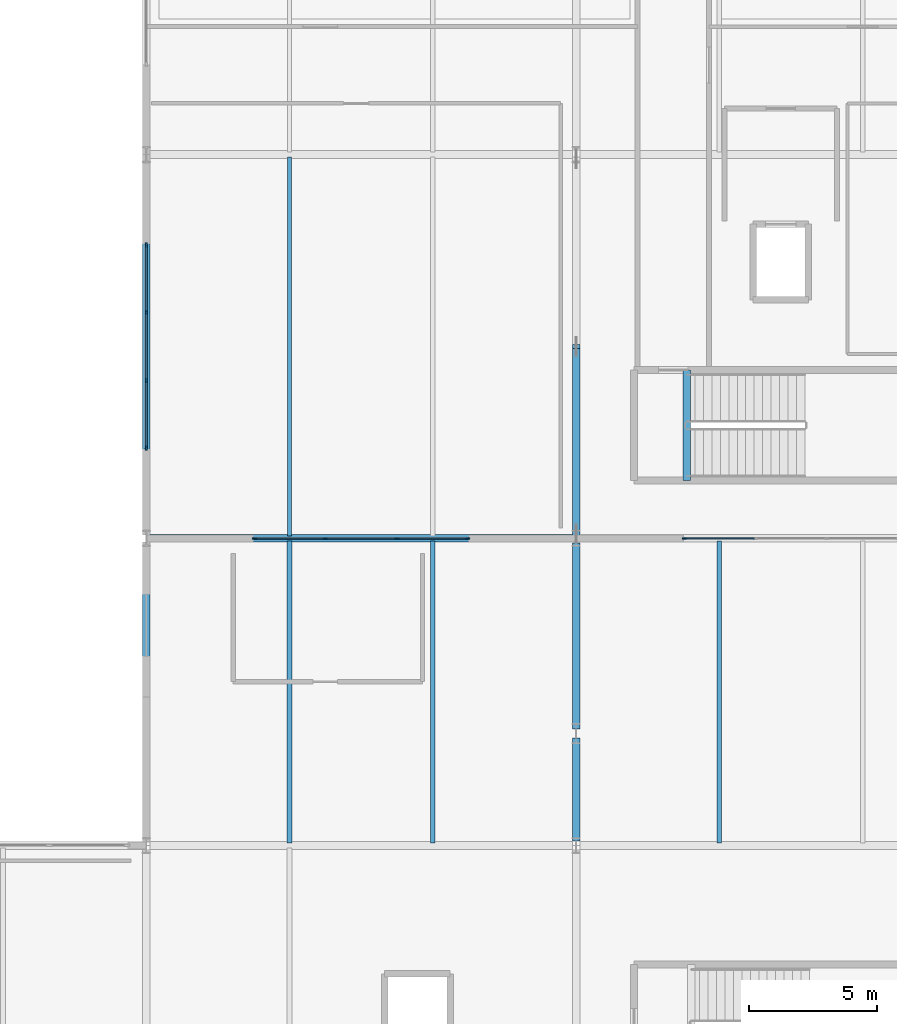
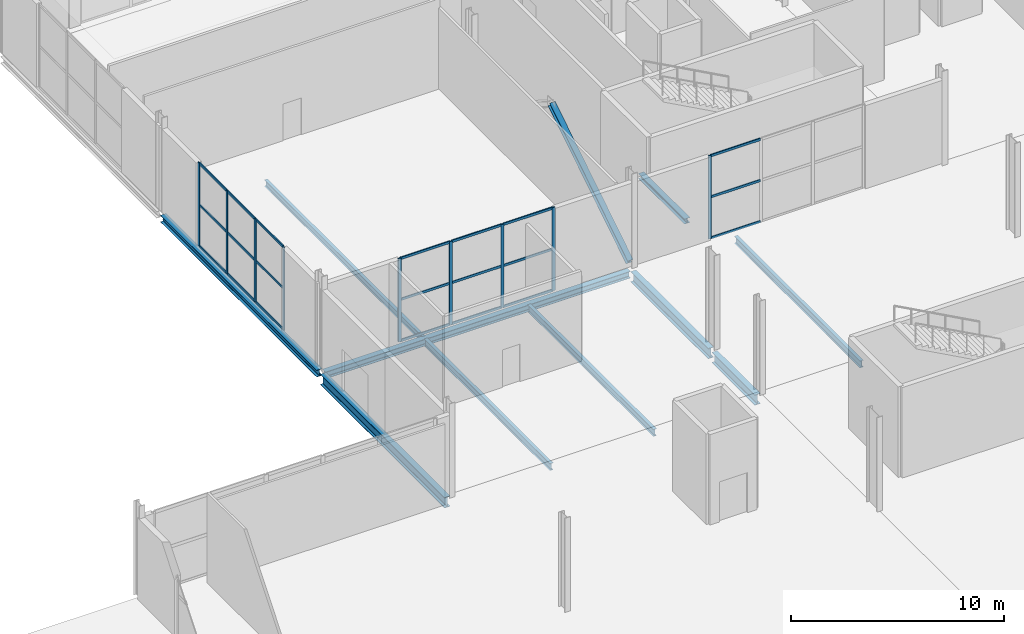
# One storey, part 29 of 87: 31 members, 10 beams, 3 elements without a shape of their own.
"""IFC4 building model written with IfcOpenShell, lengths in metres."""

from ifc_helpers import new_model, si_unit, direction, frame, origin, origin_2d, place, context, subcontext, project, spatial, rectangle, i_section, extrude, material, material_profile, profile_set, type_object, element, aggregate, save


model = new_model("IFC4")

# Units and contexts
model_context = context("Model", 3, precision=1e-05, world=origin(), true_north=direction((0.0, 1.0)))
body_context = subcontext(model_context, "Body", "Model", "MODEL_VIEW")
ifc_project = project(units=[si_unit("LENGTHUNIT", "METRE"), si_unit("AREAUNIT", "SQUARE_METRE"), si_unit("VOLUMEUNIT", "CUBIC_METRE"), si_unit("PLANEANGLEUNIT", "RADIAN"), si_unit("MASSUNIT", "GRAM", prefix="KILO")], contexts=[model_context])

# Site, building, storey
site_placement = place(None, origin())
site = spatial("IfcSite", under=ifc_project, at=site_placement, CompositionType="ELEMENT")
building_placement = place(site_placement, origin())
building = spatial("IfcBuilding", under=site, at=building_placement, Name="Kimbaza Rail Terminus", CompositionType="ELEMENT")
storey_placement = place(building_placement, origin())
storey = spatial("IfcBuildingStorey", under=building, at=storey_placement, Name="L00", CompositionType="ELEMENT", Elevation=0.0)

# Curtain wall, members
ifc_material_1 = material(Name="Anodised aluminium framing and solar low-E glazing", Category="aluminium")
curtain_wall_type = type_object("IfcCurtainWallType", Name="ARC-CW-OP1", PredefinedType="USERDEFINED", material=ifc_material_1)
curtain_wall_1_placement = place(storey_placement, origin())
curtain_wall_1 = element("IfcCurtainWall", 1, at=curtain_wall_1_placement, inside=storey, type_object=curtain_wall_type, Name="Operations South Curtain Wall L00 Bay 1", ObjectType="UNITISED CURTAIN WALL", PredefinedType="USERDEFINED")
ifc_material_2 = material(Name="Anodised architectural aluminium", Category="aluminium")
ifc_material_profile_1 = material_profile(ifc_material_2, rectangle(XDim=0.06201171875, YDim=0.1650390625, at=origin_2d()), Name="MULLION 62x165")
ifc_profile_set_1 = profile_set([ifc_material_profile_1], Name="Anodised architectural aluminium")
member_type_1 = type_object("IfcMemberType", Name="ARC-CWM-05", PredefinedType="MULLION", material=ifc_profile_set_1)
member_1_placement = place(storey_placement, frame((59.430908203125, 103.0, 0.0), z_axis=(0.0, 0.0, 1.0), x_axis=(0.0, 1.0, 0.0)))
member_1 = element("IfcMember", 2, at=member_1_placement, type_object=member_type_1, Name="CW-05 mullion 1", PredefinedType="MULLION", context=body_context, shape_type="SweptSolid", body=[
    extrude(rectangle(XDim=0.06201171875, YDim=0.1650390625, at=origin_2d()), origin(), (0.0, 0.0, 1.0), 4.764892578125),
])
member_2_placement = place(storey_placement, frame((62.199951171875, 103.0, 0.0), z_axis=(0.0, 0.0, 1.0), x_axis=(0.0, 1.0, 0.0)))
member_2 = element("IfcMember", 3, at=member_2_placement, type_object=member_type_1, Name="CW-05 mullion 2", PredefinedType="MULLION", context=body_context, shape_type="SweptSolid", body=[
    extrude(rectangle(XDim=0.06201171875, YDim=0.1650390625, at=origin_2d()), origin(), (0.0, 0.0, 1.0), 4.764892578125),
])
member_3_placement = place(storey_placement, frame((65.0, 103.0, 0.0), z_axis=(0.0, 0.0, 1.0), x_axis=(0.0, 1.0, 0.0)))
member_3 = element("IfcMember", 4, at=member_3_placement, type_object=member_type_1, Name="CW-05 mullion 3", PredefinedType="MULLION", context=body_context, shape_type="SweptSolid", body=[
    extrude(rectangle(XDim=0.06201171875, YDim=0.1650390625, at=origin_2d()), origin(), (0.0, 0.0, 1.0), 4.764892578125),
])
member_4_placement = place(storey_placement, frame((67.76904296875, 103.0, 0.0), z_axis=(0.0, 0.0, 1.0), x_axis=(0.0, 1.0, 0.0)))
member_4 = element("IfcMember", 5, at=member_4_placement, type_object=member_type_1, Name="CW-05 mullion 4", PredefinedType="MULLION", context=body_context, shape_type="SweptSolid", body=[
    extrude(rectangle(XDim=0.06201171875, YDim=0.1650390625, at=origin_2d()), origin(), (0.0, 0.0, 1.0), 4.764892578125),
])

# Curtain wall, member
curtain_wall_2_placement = place(storey_placement, origin())
curtain_wall_2 = element("IfcCurtainWall", 6, at=curtain_wall_2_placement, inside=storey, type_object=curtain_wall_type, Name="Operations South Curtain Wall L00 Bay 2", ObjectType="UNITISED CURTAIN WALL", PredefinedType="USERDEFINED")
member_5_placement = place(storey_placement, frame((76.23095703125, 103.0, 0.0), z_axis=(0.0, 0.0, 1.0), x_axis=(0.0, 1.0, 0.0)))
member_5 = element("IfcMember", 7, at=member_5_placement, type_object=member_type_1, Name="CW-05 mullion 1", PredefinedType="MULLION", context=body_context, shape_type="SweptSolid", body=[
    extrude(rectangle(XDim=0.06201171875, YDim=0.1650390625, at=origin_2d()), origin(), (0.0, 0.0, 1.0), 4.764892578125),
])

# Curtain wall, members
curtain_wall_3_placement = place(storey_placement, origin())
curtain_wall_3 = element("IfcCurtainWall", 8, at=curtain_wall_3_placement, inside=storey, type_object=curtain_wall_type, Name="Operations W Curtain Wall L00.1", ObjectType="UNITISED CURTAIN WALL", PredefinedType="USERDEFINED")
member_6_placement = place(storey_placement, frame((55.199951171875, 106.531005859375, 0.0), z_axis=(0.0, 0.0, 1.0), x_axis=(-1.0, 0.0, 0.0)))
member_6 = element("IfcMember", 9, at=member_6_placement, type_object=member_type_1, Name="CW-05 mullion 1", PredefinedType="MULLION", context=body_context, shape_type="SweptSolid", body=[
    extrude(rectangle(XDim=0.06201171875, YDim=0.1650390625, at=origin_2d()), origin(), (0.0, 0.0, 1.0), 4.764892578125),
])
member_7_placement = place(storey_placement, frame((55.199951171875, 109.166748046875, 0.0), z_axis=(0.0, 0.0, 1.0), x_axis=(-1.0, 0.0, 0.0)))
member_7 = element("IfcMember", 10, at=member_7_placement, type_object=member_type_1, Name="CW-05 mullion 2", PredefinedType="MULLION", context=body_context, shape_type="SweptSolid", body=[
    extrude(rectangle(XDim=0.06201171875, YDim=0.1650390625, at=origin_2d()), origin(), (0.0, 0.0, 1.0), 4.764892578125),
])
member_8_placement = place(storey_placement, frame((55.199951171875, 111.833251953125, 0.0), z_axis=(0.0, 0.0, 1.0), x_axis=(-1.0, 0.0, 0.0)))
member_8 = element("IfcMember", 11, at=member_8_placement, type_object=member_type_1, Name="CW-05 mullion 3", PredefinedType="MULLION", context=body_context, shape_type="SweptSolid", body=[
    extrude(rectangle(XDim=0.06201171875, YDim=0.1650390625, at=origin_2d()), origin(), (0.0, 0.0, 1.0), 4.764892578125),
])
member_9_placement = place(storey_placement, frame((55.199951171875, 114.468994140625, 0.0), z_axis=(0.0, 0.0, 1.0), x_axis=(-1.0, 0.0, 0.0)))
member_9 = element("IfcMember", 12, at=member_9_placement, type_object=member_type_1, Name="CW-05 mullion 4", PredefinedType="MULLION", context=body_context, shape_type="SweptSolid", body=[
    extrude(rectangle(XDim=0.06201171875, YDim=0.1650390625, at=origin_2d()), origin(), (0.0, 0.0, 1.0), 4.764892578125),
])

# Member
ifc_material_3 = material(Name="Anodised architectural aluminium", Category="aluminium")
ifc_material_profile_2 = material_profile(ifc_material_3, rectangle(XDim=0.06201171875, YDim=0.135009765625, at=origin_2d()), Name="TRANSOM 62x135")
ifc_profile_set_2 = profile_set([ifc_material_profile_2], Name="Anodised architectural aluminium")
member_type_2 = type_object("IfcMemberType", Name="ARC-CWT-05", PredefinedType="USERDEFINED", material=ifc_profile_set_2)
member_10_placement = place(storey_placement, frame((59.4619140625, 103.0, 0.031005859375), z_axis=(1.0, 0.0, 0.0), x_axis=(0.0, 1.0, 0.0)))
member_10 = element("IfcMember", 13, at=member_10_placement, type_object=member_type_2, Name="CW-05 transom 1.1", ObjectType="TRANSOM", PredefinedType="USERDEFINED", context=body_context, shape_type="SweptSolid", body=[
    extrude(rectangle(XDim=0.06201171875, YDim=0.135009765625, at=origin_2d()), origin(), (0.0, 0.0, 1.0), 2.70703125),
])

member_11_placement = place(storey_placement, frame((59.4619140625, 103.0, 2.382568359375), z_axis=(1.0, 0.0, 0.0), x_axis=(0.0, 1.0, 0.0)))
member_11 = element("IfcMember", 14, at=member_11_placement, type_object=member_type_2, Name="CW-05 transom 1.2", ObjectType="TRANSOM", PredefinedType="USERDEFINED", context=body_context, shape_type="SweptSolid", body=[
    extrude(rectangle(XDim=0.06201171875, YDim=0.135009765625, at=origin_2d()), origin(), (0.0, 0.0, 1.0), 2.70703125),
])

member_12_placement = place(storey_placement, frame((59.4619140625, 103.0, 4.73388671875), z_axis=(1.0, 0.0, 0.0), x_axis=(0.0, 1.0, 0.0)))
member_12 = element("IfcMember", 15, at=member_12_placement, type_object=member_type_2, Name="CW-05 transom 1.3", ObjectType="TRANSOM", PredefinedType="USERDEFINED", context=body_context, shape_type="SweptSolid", body=[
    extrude(rectangle(XDim=0.06201171875, YDim=0.135009765625, at=origin_2d()), origin(), (0.0, 0.0, 1.0), 2.70703125),
])

member_13_placement = place(storey_placement, frame((62.23095703125, 103.0, 0.031005859375), z_axis=(1.0, 0.0, 0.0), x_axis=(0.0, 1.0, 0.0)))
member_13 = element("IfcMember", 16, at=member_13_placement, type_object=member_type_2, Name="CW-05 transom 2.1", ObjectType="TRANSOM", PredefinedType="USERDEFINED", context=body_context, shape_type="SweptSolid", body=[
    extrude(rectangle(XDim=0.06201171875, YDim=0.135009765625, at=origin_2d()), origin(), (0.0, 0.0, 1.0), 2.738037109375),
])

member_14_placement = place(storey_placement, frame((62.23095703125, 103.0, 2.382568359375), z_axis=(1.0, 0.0, 0.0), x_axis=(0.0, 1.0, 0.0)))
member_14 = element("IfcMember", 17, at=member_14_placement, type_object=member_type_2, Name="CW-05 transom 2.2", ObjectType="TRANSOM", PredefinedType="USERDEFINED", context=body_context, shape_type="SweptSolid", body=[
    extrude(rectangle(XDim=0.06201171875, YDim=0.135009765625, at=origin_2d()), origin(), (0.0, 0.0, 1.0), 2.738037109375),
])

member_15_placement = place(storey_placement, frame((62.23095703125, 103.0, 4.73388671875), z_axis=(1.0, 0.0, 0.0), x_axis=(0.0, 1.0, 0.0)))
member_15 = element("IfcMember", 18, at=member_15_placement, type_object=member_type_2, Name="CW-05 transom 2.3", ObjectType="TRANSOM", PredefinedType="USERDEFINED", context=body_context, shape_type="SweptSolid", body=[
    extrude(rectangle(XDim=0.06201171875, YDim=0.135009765625, at=origin_2d()), origin(), (0.0, 0.0, 1.0), 2.738037109375),
])

member_16_placement = place(storey_placement, frame((65.031005859375, 103.0, 0.031005859375), z_axis=(1.0, 0.0, 0.0), x_axis=(0.0, 1.0, 0.0)))
member_16 = element("IfcMember", 19, at=member_16_placement, type_object=member_type_2, Name="CW-05 transom 3.1", ObjectType="TRANSOM", PredefinedType="USERDEFINED", context=body_context, shape_type="SweptSolid", body=[
    extrude(rectangle(XDim=0.06201171875, YDim=0.135009765625, at=origin_2d()), origin(), (0.0, 0.0, 1.0), 2.70703125),
])

member_17_placement = place(storey_placement, frame((65.031005859375, 103.0, 2.382568359375), z_axis=(1.0, 0.0, 0.0), x_axis=(0.0, 1.0, 0.0)))
member_17 = element("IfcMember", 20, at=member_17_placement, type_object=member_type_2, Name="CW-05 transom 3.2", ObjectType="TRANSOM", PredefinedType="USERDEFINED", context=body_context, shape_type="SweptSolid", body=[
    extrude(rectangle(XDim=0.06201171875, YDim=0.135009765625, at=origin_2d()), origin(), (0.0, 0.0, 1.0), 2.70703125),
])

member_18_placement = place(storey_placement, frame((65.031005859375, 103.0, 4.73388671875), z_axis=(1.0, 0.0, 0.0), x_axis=(0.0, 1.0, 0.0)))
member_18 = element("IfcMember", 21, at=member_18_placement, type_object=member_type_2, Name="CW-05 transom 3.3", ObjectType="TRANSOM", PredefinedType="USERDEFINED", context=body_context, shape_type="SweptSolid", body=[
    extrude(rectangle(XDim=0.06201171875, YDim=0.135009765625, at=origin_2d()), origin(), (0.0, 0.0, 1.0), 2.70703125),
])

aggregate(curtain_wall_1, [member_1, member_2, member_3, member_4, member_10, member_11, member_12, member_13, member_14, member_15, member_16, member_17, member_18])

member_19_placement = place(storey_placement, frame((76.261962890625, 103.0, 0.031005859375), z_axis=(1.0, 0.0, 0.0), x_axis=(0.0, 1.0, 0.0)))
member_19 = element("IfcMember", 22, at=member_19_placement, type_object=member_type_2, Name="CW-05 transom 1.1", ObjectType="TRANSOM", PredefinedType="USERDEFINED", context=body_context, shape_type="SweptSolid", body=[
    extrude(rectangle(XDim=0.06201171875, YDim=0.135009765625, at=origin_2d()), origin(), (0.0, 0.0, 1.0), 2.70703125),
])

member_20_placement = place(storey_placement, frame((76.261962890625, 103.0, 2.382568359375), z_axis=(1.0, 0.0, 0.0), x_axis=(0.0, 1.0, 0.0)))
member_20 = element("IfcMember", 23, at=member_20_placement, type_object=member_type_2, Name="CW-05 transom 1.2", ObjectType="TRANSOM", PredefinedType="USERDEFINED", context=body_context, shape_type="SweptSolid", body=[
    extrude(rectangle(XDim=0.06201171875, YDim=0.135009765625, at=origin_2d()), origin(), (0.0, 0.0, 1.0), 2.70703125),
])

member_21_placement = place(storey_placement, frame((76.261962890625, 103.0, 4.73388671875), z_axis=(1.0, 0.0, 0.0), x_axis=(0.0, 1.0, 0.0)))
member_21 = element("IfcMember", 24, at=member_21_placement, type_object=member_type_2, Name="CW-05 transom 1.3", ObjectType="TRANSOM", PredefinedType="USERDEFINED", context=body_context, shape_type="SweptSolid", body=[
    extrude(rectangle(XDim=0.06201171875, YDim=0.135009765625, at=origin_2d()), origin(), (0.0, 0.0, 1.0), 2.70703125),
])

aggregate(curtain_wall_2, [member_5, member_19, member_20, member_21])

member_22_placement = place(storey_placement, frame((55.199951171875, 106.56201171875, 0.031005859375), z_axis=(0.0, 1.0, 0.0), x_axis=(-1.0, 0.0, 0.0)))
member_22 = element("IfcMember", 25, at=member_22_placement, type_object=member_type_2, Name="CW-05 transom 1.1", ObjectType="TRANSOM", PredefinedType="USERDEFINED", context=body_context, shape_type="SweptSolid", body=[
    extrude(rectangle(XDim=0.06201171875, YDim=0.135009765625, at=origin_2d()), origin(), (0.0, 0.0, 1.0), 2.57373046875),
])

member_23_placement = place(storey_placement, frame((55.199951171875, 106.56201171875, 2.382568359375), z_axis=(0.0, 1.0, 0.0), x_axis=(-1.0, 0.0, 0.0)))
member_23 = element("IfcMember", 26, at=member_23_placement, type_object=member_type_2, Name="CW-05 transom 1.2", ObjectType="TRANSOM", PredefinedType="USERDEFINED", context=body_context, shape_type="SweptSolid", body=[
    extrude(rectangle(XDim=0.06201171875, YDim=0.135009765625, at=origin_2d()), origin(), (0.0, 0.0, 1.0), 2.57373046875),
])

member_24_placement = place(storey_placement, frame((55.199951171875, 106.56201171875, 4.73388671875), z_axis=(0.0, 1.0, 0.0), x_axis=(-1.0, 0.0, 0.0)))
member_24 = element("IfcMember", 27, at=member_24_placement, type_object=member_type_2, Name="CW-05 transom 1.3", ObjectType="TRANSOM", PredefinedType="USERDEFINED", context=body_context, shape_type="SweptSolid", body=[
    extrude(rectangle(XDim=0.06201171875, YDim=0.135009765625, at=origin_2d()), origin(), (0.0, 0.0, 1.0), 2.57373046875),
])

member_25_placement = place(storey_placement, frame((55.199951171875, 109.19775390625, 0.031005859375), z_axis=(0.0, 1.0, 0.0), x_axis=(-1.0, 0.0, 0.0)))
member_25 = element("IfcMember", 28, at=member_25_placement, type_object=member_type_2, Name="CW-05 transom 2.1", ObjectType="TRANSOM", PredefinedType="USERDEFINED", context=body_context, shape_type="SweptSolid", body=[
    extrude(rectangle(XDim=0.06201171875, YDim=0.135009765625, at=origin_2d()), origin(), (0.0, 0.0, 1.0), 2.6044921875),
])

member_26_placement = place(storey_placement, frame((55.199951171875, 109.19775390625, 2.382568359375), z_axis=(0.0, 1.0, 0.0), x_axis=(-1.0, 0.0, 0.0)))
member_26 = element("IfcMember", 29, at=member_26_placement, type_object=member_type_2, Name="CW-05 transom 2.2", ObjectType="TRANSOM", PredefinedType="USERDEFINED", context=body_context, shape_type="SweptSolid", body=[
    extrude(rectangle(XDim=0.06201171875, YDim=0.135009765625, at=origin_2d()), origin(), (0.0, 0.0, 1.0), 2.6044921875),
])

member_27_placement = place(storey_placement, frame((55.199951171875, 109.19775390625, 4.73388671875), z_axis=(0.0, 1.0, 0.0), x_axis=(-1.0, 0.0, 0.0)))
member_27 = element("IfcMember", 30, at=member_27_placement, type_object=member_type_2, Name="CW-05 transom 2.3", ObjectType="TRANSOM", PredefinedType="USERDEFINED", context=body_context, shape_type="SweptSolid", body=[
    extrude(rectangle(XDim=0.06201171875, YDim=0.135009765625, at=origin_2d()), origin(), (0.0, 0.0, 1.0), 2.6044921875),
])

member_28_placement = place(storey_placement, frame((55.199951171875, 111.8642578125, 0.031005859375), z_axis=(0.0, 1.0, 0.0), x_axis=(-1.0, 0.0, 0.0)))
member_28 = element("IfcMember", 31, at=member_28_placement, type_object=member_type_2, Name="CW-05 transom 3.1", ObjectType="TRANSOM", PredefinedType="USERDEFINED", context=body_context, shape_type="SweptSolid", body=[
    extrude(rectangle(XDim=0.06201171875, YDim=0.135009765625, at=origin_2d()), origin(), (0.0, 0.0, 1.0), 2.57373046875),
])

member_29_placement = place(storey_placement, frame((55.199951171875, 111.8642578125, 2.382568359375), z_axis=(0.0, 1.0, 0.0), x_axis=(-1.0, 0.0, 0.0)))
member_29 = element("IfcMember", 32, at=member_29_placement, type_object=member_type_2, Name="CW-05 transom 3.2", ObjectType="TRANSOM", PredefinedType="USERDEFINED", context=body_context, shape_type="SweptSolid", body=[
    extrude(rectangle(XDim=0.06201171875, YDim=0.135009765625, at=origin_2d()), origin(), (0.0, 0.0, 1.0), 2.57373046875),
])

member_30_placement = place(storey_placement, frame((55.199951171875, 111.8642578125, 4.73388671875), z_axis=(0.0, 1.0, 0.0), x_axis=(-1.0, 0.0, 0.0)))
member_30 = element("IfcMember", 33, at=member_30_placement, type_object=member_type_2, Name="CW-05 transom 3.3", ObjectType="TRANSOM", PredefinedType="USERDEFINED", context=body_context, shape_type="SweptSolid", body=[
    extrude(rectangle(XDim=0.06201171875, YDim=0.135009765625, at=origin_2d()), origin(), (0.0, 0.0, 1.0), 2.57373046875),
])

aggregate(curtain_wall_3, [member_6, member_7, member_8, member_9, member_22, member_23, member_24, member_25, member_26, member_27, member_28, member_29, member_30])

# Beams
ifc_material_4 = material(Name="Steel S355", Category="steel")
ifc_material_profile_3 = material_profile(ifc_material_4, i_section(OverallWidth=0.300048828125, OverallDepth=0.2900390625, WebThickness=0.008544921875, FlangeThickness=0.013916015625, FilletRadius=0.027099609375, at=origin_2d()), Name="HEA 300")
ifc_profile_set_3 = profile_set([ifc_material_profile_3], Name="Steel S355")
beam_type_1 = type_object("IfcBeamType", Name="STR-BM-HEA300", PredefinedType="SPANDREL", material=ifc_profile_set_3)
beam_1_placement = place(storey_placement, frame((76.320068359375, 105.260009765625, -0.385009765625), z_axis=(0.0, 1.0, 0.0), x_axis=(-1.0, 0.0, 0.0)))
element("IfcBeam", 34, at=beam_1_placement, inside=storey, type_object=beam_type_1, Name="Operations West Exit Stair Landing Trimmer Beam L00", PredefinedType="SPANDREL", context=body_context, shape_type="SweptSolid", body=[
    extrude(i_section(OverallWidth=0.300048828125, OverallDepth=0.2900390625, WebThickness=0.008544921875, FlangeThickness=0.013916015625, FilletRadius=0.027099609375, at=origin_2d()), origin(), (0.0, 0.0, 1.0), 4.320068359375),
])
ifc_material_5 = material(Name="Steel S355", Category="steel")
ifc_material_profile_4 = material_profile(ifc_material_5, i_section(OverallWidth=0.300048828125, OverallDepth=0.389892578125, WebThickness=0.010986328125, FlangeThickness=0.01904296875, FilletRadius=0.027099609375, at=origin_2d()), Name="HEA 400")
ifc_profile_set_4 = profile_set([ifc_material_profile_4], Name="Steel S355")
beam_type_2 = type_object("IfcBeamType", Name="STR-BM-HEA400", PredefinedType="SPANDREL", material=ifc_profile_set_4)
beam_2_placement = place(storey_placement, frame((55.345947265625, 103.0, -0.445068359375), z_axis=(1.0, 0.0, 0.0), x_axis=(0.0, 1.0, 0.0)))
element("IfcBeam", 35, at=beam_2_placement, inside=storey, type_object=beam_type_2, Name="Operations Girder L00 X0-Y0", PredefinedType="SPANDREL", context=body_context, shape_type="SweptSolid", body=[
    extrude(i_section(OverallWidth=0.300048828125, OverallDepth=0.389892578125, WebThickness=0.010986328125, FlangeThickness=0.01904296875, FilletRadius=0.027099609375, at=origin_2d()), origin(), (0.0, 0.0, 1.0), 16.508056640625),
])
beam_3_placement = place(storey_placement, frame((55.199951171875, 103.175048828125, -0.43505859375), z_axis=(0.0, 1.0, 0.0), x_axis=(-1.0, 0.0, 0.0)))
element("IfcBeam", 36, at=beam_3_placement, inside=storey, type_object=beam_type_2, Name="Operations Cross Girder L00 X0-Y0", PredefinedType="SPANDREL", context=body_context, shape_type="SweptSolid", body=[
    extrude(i_section(OverallWidth=0.300048828125, OverallDepth=0.389892578125, WebThickness=0.010986328125, FlangeThickness=0.01904296875, FilletRadius=0.027099609375, at=origin_2d()), origin(), (0.0, 0.0, 1.0), 14.64990234375),
])
ifc_material_6 = material(Name="Steel S355", Category="steel")
ifc_material_profile_5 = material_profile(ifc_material_6, i_section(OverallWidth=0.300048828125, OverallDepth=0.60009765625, WebThickness=0.015380859375, FlangeThickness=0.030029296875, FilletRadius=0.027099609375, at=origin_2d()), Name="HEB 600")
ifc_profile_set_5 = profile_set([ifc_material_profile_5], Name="Steel S355")
beam_type_3 = type_object("IfcBeamType", Name="STR-BM-HEB600", PredefinedType="BEAM", material=ifc_profile_set_5)
beam_4_placement = place(storey_placement, frame((55.199951171875, 91.175048828125, -0.550048828125), z_axis=(0.0, 1.0, 0.0), x_axis=(-1.0, 0.0, 0.0)))
element("IfcBeam", 37, at=beam_4_placement, inside=storey, type_object=beam_type_3, Name="Beam BM-V2Y-L00-0-91", PredefinedType="BEAM", context=body_context, shape_type="SweptSolid", body=[
    extrude(i_section(OverallWidth=0.300048828125, OverallDepth=0.60009765625, WebThickness=0.015380859375, FlangeThickness=0.030029296875, FilletRadius=0.027099609375, at=origin_2d()), origin(), (0.0, 0.0, 1.0), 11.64990234375),
])
beam_5_placement = place(storey_placement, frame((72.0, 91.175048828125, -0.550048828125), z_axis=(0.0, 1.0, 0.0), x_axis=(-1.0, 0.0, 0.0)))
element("IfcBeam", 38, at=beam_5_placement, inside=storey, type_object=beam_type_3, Name="Beam BM-VSPN-L00-3", PredefinedType="BEAM", context=body_context, shape_type="SweptSolid", body=[
    extrude(i_section(OverallWidth=0.300048828125, OverallDepth=0.60009765625, WebThickness=0.015380859375, FlangeThickness=0.030029296875, FilletRadius=0.027099609375, at=origin_2d()), origin(), (0.0, 0.0, 1.0), 4.025634765625),
])
beam_6_placement = place(storey_placement, frame((72.0, 95.55078125, -0.550048828125), z_axis=(0.0, 1.0, 0.0), x_axis=(-1.0, 0.0, 0.0)))
element("IfcBeam", 39, at=beam_6_placement, inside=storey, type_object=beam_type_3, Name="Beam BM-VSPN2-L00-3", PredefinedType="BEAM", context=body_context, shape_type="SweptSolid", body=[
    extrude(i_section(OverallWidth=0.300048828125, OverallDepth=0.60009765625, WebThickness=0.015380859375, FlangeThickness=0.030029296875, FilletRadius=0.027099609375, at=origin_2d()), origin(), (0.0, 0.0, 1.0), 7.274169921875),
])
ifc_material_7 = material(Name="Steel S355", Category="steel")
ifc_material_profile_6 = material_profile(ifc_material_7, i_section(OverallWidth=0.169921875, OverallDepth=0.360107421875, WebThickness=0.008056640625, FlangeThickness=0.0126953125, FilletRadius=0.01806640625, at=origin_2d()), Name="IPE 360")
ifc_profile_set_6 = profile_set([ifc_material_profile_6], Name="Steel S355")
beam_type_4 = type_object("IfcBeamType", Name="STR-BM-IPE360", PredefinedType="JOIST", material=ifc_profile_set_6)
beam_7_placement = place(storey_placement, frame((60.800048828125, 103.10009765625, -0.419921875), z_axis=(0.0, 1.0, 0.0), x_axis=(-1.0, 0.0, 0.0)))
element("IfcBeam", 40, at=beam_7_placement, inside=storey, type_object=beam_type_4, Name="Operations Secondary Joist L00", PredefinedType="JOIST", context=body_context, shape_type="SweptSolid", body=[
    extrude(i_section(OverallWidth=0.169921875, OverallDepth=0.360107421875, WebThickness=0.008056640625, FlangeThickness=0.0126953125, FilletRadius=0.01806640625, at=origin_2d()), origin(), (0.0, 0.0, 1.0), 14.7998046875),
])
ifc_material_8 = material(Name="Steel S355", Category="steel")
ifc_material_profile_7 = material_profile(ifc_material_8, i_section(OverallWidth=0.179931640625, OverallDepth=0.39990234375, WebThickness=0.008544921875, FlangeThickness=0.013427734375, FilletRadius=0.02099609375, at=origin_2d()), Name="IPE 400")
ifc_profile_set_7 = profile_set([ifc_material_profile_7], Name="Steel S355")
beam_type_5 = type_object("IfcBeamType", Name="STR-BM-IPE400", PredefinedType="JOIST", material=ifc_profile_set_7)
for number, where, z_axis, x_axis, name in (
    (41, (60.800048828125, 91.10009765625, -0.449951171875), (0.0, 1.0, 0.0), (-1.0, 0.0, 0.0), "Beam JST-V2-L00-1-1-91"),
    (42, (66.39990234375, 91.10009765625, -0.449951171875), (0.0, 1.0, 0.0), (-1.0, 0.0, 0.0), "Beam JST-V2-L00-1-2-91"),
    (43, (77.60009765625, 91.10009765625, -0.449951171875), (0.0, 1.0, 0.0), (-1.0, 0.0, 0.0), "Beam JST-V2-L00-2-1-91"),
):
    element("IfcBeam", number, at=place(storey_placement, frame(where, z_axis=z_axis, x_axis=x_axis)), inside=storey, type_object=beam_type_5, Name=name, PredefinedType="JOIST", context=body_context, shape_type="SweptSolid", body=[
        extrude(i_section(OverallWidth=0.179931640625, OverallDepth=0.39990234375, WebThickness=0.008544921875, FlangeThickness=0.013427734375, FilletRadius=0.02099609375, at=origin_2d()), origin(), (0.0, 0.0, 1.0), 11.7998046875),
    ])

# Member
ifc_material_9 = material(Name="Steel S355", Category="steel")
ifc_material_profile_8 = material_profile(ifc_material_9, i_section(OverallWidth=0.300048828125, OverallDepth=0.300048828125, WebThickness=0.010986328125, FlangeThickness=0.01904296875, FilletRadius=0.027099609375, at=origin_2d()), Name="HEB 300")
ifc_profile_set_8 = profile_set([ifc_material_profile_8], Name="Steel S355")
member_type_3 = type_object("IfcMemberType", Name="STR-MB-HEB300", PredefinedType="BRACE", material=ifc_profile_set_8)
member_31_placement = place(storey_placement, frame((72.0, 103.179931640625, 0.050048828125), z_axis=(0.0, 0.846184293395, 0.53289036547), x_axis=(-1.0, 0.0, 0.0)))
element("IfcMember", 44, at=member_31_placement, inside=storey, type_object=member_type_3, Name="Core Chevron Brace 1A", PredefinedType="BRACE", context=body_context, shape_type="SweptSolid", body=[
    extrude(i_section(OverallWidth=0.300048828125, OverallDepth=0.300048828125, WebThickness=0.010986328125, FlangeThickness=0.01904296875, FilletRadius=0.027099609375, at=origin_2d()), origin(), (0.0, 0.0, 1.0), 8.650634765625),
])

save(model, "model.ifc")
